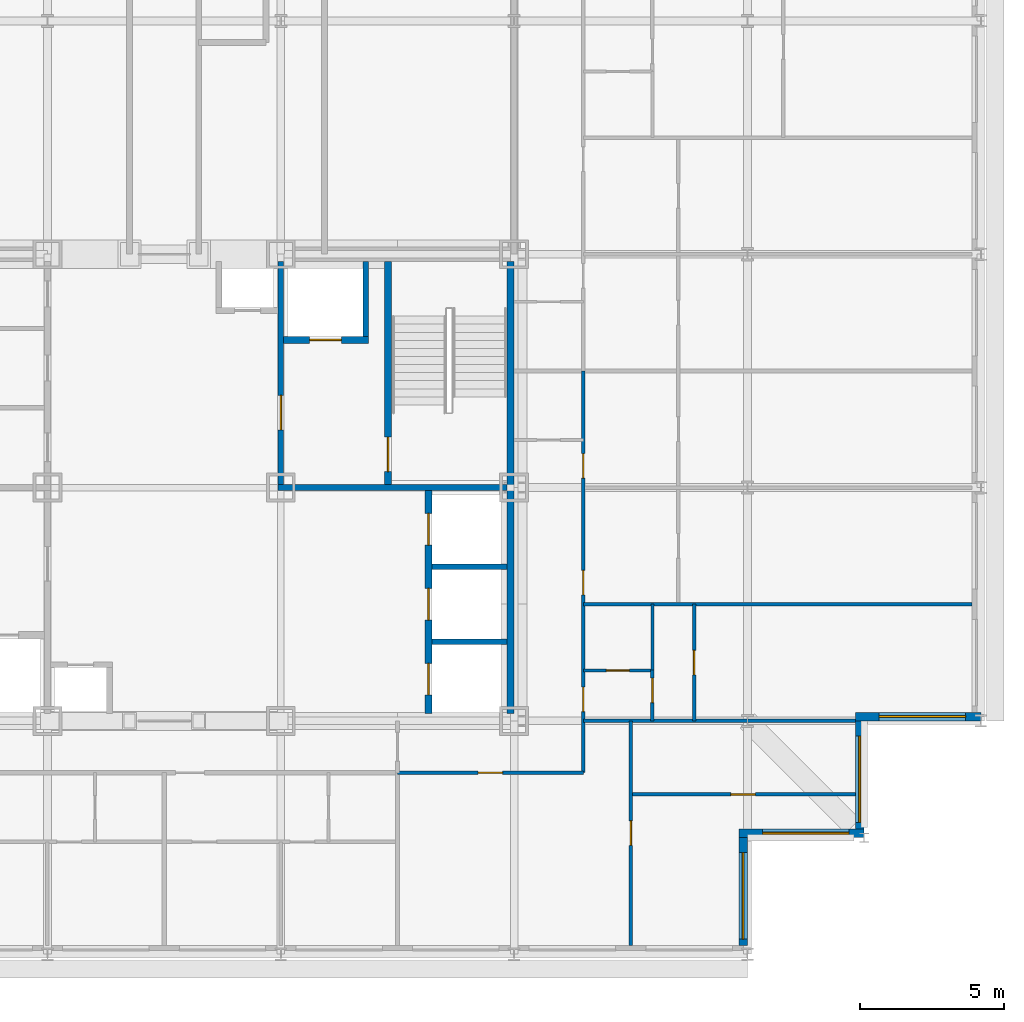
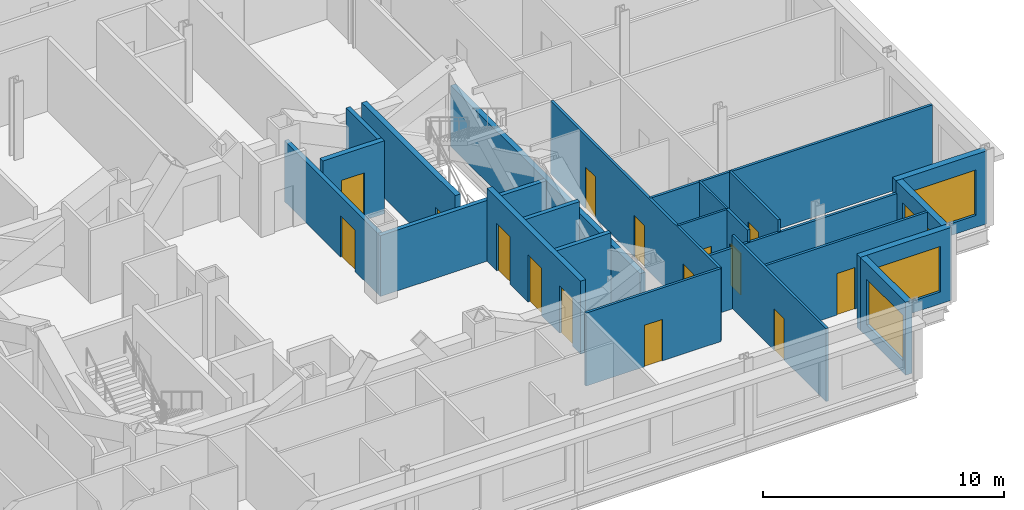
# One storey, part 10 of 15: 23 walls, 15 doors, 4 windows, 19 openings.
"""IFC4 building model written with IfcOpenShell, lengths in metres."""

from ifc_helpers import new_model, si_unit, direction, frame, frame_2d, origin, place, context, subcontext, project, spatial, rectangle, extrude, material, layer, layer_set, type_object, element, fill, save


model = new_model("IFC4")

# Units and contexts
model_context = context("Model", 3, precision=1e-05, world=origin(), true_north=direction((0.0, 1.0)))
body_context = subcontext(model_context, "Body", "Model", "MODEL_VIEW")
ifc_project = project(units=[si_unit("LENGTHUNIT", "METRE"), si_unit("AREAUNIT", "SQUARE_METRE"), si_unit("VOLUMEUNIT", "CUBIC_METRE"), si_unit("PLANEANGLEUNIT", "RADIAN"), si_unit("MASSUNIT", "GRAM", prefix="KILO")], contexts=[model_context])

# Site, building, storey
site_placement = place(None, origin())
site = spatial("IfcSite", under=ifc_project, at=site_placement, CompositionType="ELEMENT")
building_placement = place(site_placement, origin())
building = spatial("IfcBuilding", under=site, at=building_placement, Name="Kopane Lantern Tower", CompositionType="ELEMENT")
storey_placement = place(building_placement, frame((0.0, 0.0, 246.300048828125)))
storey = spatial("IfcBuildingStorey", under=building, at=storey_placement, Name="L63", CompositionType="ELEMENT", Elevation=246.300048828125)

# Wall, openings, doors
ifc_material_1 = material(Name="Gypsum board on steel studs", Category="steel")
ifc_layer_1 = layer(ifc_material_1, 0.1201171875)
ifc_layer_set_1 = layer_set([ifc_layer_1], Name="APARTMENT INTERNAL WALL 120")
wall_type_1 = type_object("IfcWallType", Name="APARTMENT INTERNAL WALL 120", PredefinedType="PARTITIONING", material=ifc_layer_set_1)
wall_1_placement = place(storey_placement, frame((42.89990234375, 22.5, 0.0), z_axis=(0.0, 0.0, 1.0), x_axis=(0.0, 1.0, 0.0)))
wall_1 = element("IfcWall", 1, at=wall_1_placement, inside=storey, type_object=wall_type_1, Name="Apartment Internal Wall 120 L63", PredefinedType="PARTITIONING", context=body_context, shape_type="SweptSolid", body=[
    extrude(rectangle(XDim=13.949951171875, YDim=0.1201171875, at=frame_2d((6.97509765625, 0.0))), origin(), (0.0, 0.0, 1.0), 3.68994140625),
])
opening_1_placement = place(wall_1_placement, frame((2.125, 0.0, 0.0)))
opening_1 = element("IfcOpeningElement", 2, at=opening_1_placement, cuts=wall_1, Name="Opening L63-048", PredefinedType="OPENING", context=body_context, shape_type="SweptSolid", body=[
    extrude(rectangle(XDim=0.85009765625, YDim=2.10009765625, at=frame_2d((0.425048828125, 1.050048828125))), frame((0.0, 0.070068359375, 0.0), z_axis=(0.0, -1.0, 0.0), x_axis=(1.0, 0.0, 0.0)), (0.0, 0.0, 1.0), 0.14013671875),
])
opening_2_placement = place(wall_1_placement, frame((6.175048828125, 0.0, 0.0)))
opening_2 = element("IfcOpeningElement", 3, at=opening_2_placement, cuts=wall_1, Name="Opening L63-049", PredefinedType="OPENING", context=body_context, shape_type="SweptSolid", body=[
    extrude(rectangle(XDim=0.85009765625, YDim=2.10009765625, at=frame_2d((0.425048828125, 1.050048828125))), frame((0.0, 0.070068359375, 0.0), z_axis=(0.0, -1.0, 0.0), x_axis=(1.0, 0.0, 0.0)), (0.0, 0.0, 1.0), 0.14013671875),
])
opening_3_placement = place(wall_1_placement, frame((10.22509765625, 0.0, 0.0)))
opening_3 = element("IfcOpeningElement", 4, at=opening_3_placement, cuts=wall_1, Name="Opening L63-050", PredefinedType="OPENING", context=body_context, shape_type="SweptSolid", body=[
    extrude(rectangle(XDim=0.85009765625, YDim=2.10009765625, at=frame_2d((0.425048828125, 1.050048828125))), frame((0.0, 0.070068359375, 0.0), z_axis=(0.0, -1.0, 0.0), x_axis=(1.0, 0.0, 0.0)), (0.0, 0.0, 1.0), 0.14013671875),
])
ifc_material_2 = material(Name="Timber door set", Category="wood")
door_type_1 = type_object("IfcDoorType", Name="DOOR D4 850x2100", OperationType="SINGLE_SWING_LEFT", PredefinedType="DOOR", material=ifc_material_2)
door_1_placement = place(opening_1_placement, origin())
door_1 = element("IfcDoor", 5, at=door_1_placement, inside=storey, type_object=door_type_1, Name="Door L63-048", OperationType="SINGLE_SWING_RIGHT", OverallHeight=2.10009765625, OverallWidth=0.85009765625, PredefinedType="DOOR", context=body_context, shape_type="SweptSolid", body=[
    extrude(rectangle(XDim=0.85009765625, YDim=2.10009765625, at=frame_2d((0.425048828125, 1.050048828125))), frame((0.0, 0.02490234375, 0.0), z_axis=(0.0, -1.0, 0.0), x_axis=(1.0, 0.0, 0.0)), (0.0, 0.0, 1.0), 0.050048828125),
])
fill(opening_1, door_1)
door_2_placement = place(opening_2_placement, origin())
door_2 = element("IfcDoor", 6, at=door_2_placement, inside=storey, type_object=door_type_1, Name="Door L63-049", OperationType="SINGLE_SWING_RIGHT", OverallHeight=2.10009765625, OverallWidth=0.85009765625, PredefinedType="DOOR", context=body_context, shape_type="SweptSolid", body=[
    extrude(rectangle(XDim=0.85009765625, YDim=2.10009765625, at=frame_2d((0.425048828125, 1.050048828125))), frame((0.0, 0.02490234375, 0.0), z_axis=(0.0, -1.0, 0.0), x_axis=(1.0, 0.0, 0.0)), (0.0, 0.0, 1.0), 0.050048828125),
])
fill(opening_2, door_2)
door_3_placement = place(opening_3_placement, origin())
door_3 = element("IfcDoor", 7, at=door_3_placement, inside=storey, type_object=door_type_1, Name="Door L63-050", OperationType="SINGLE_SWING_RIGHT", OverallHeight=2.10009765625, OverallWidth=0.85009765625, PredefinedType="DOOR", context=body_context, shape_type="SweptSolid", body=[
    extrude(rectangle(XDim=0.85009765625, YDim=2.10009765625, at=frame_2d((0.425048828125, 1.050048828125))), frame((0.0, 0.02490234375, 0.0), z_axis=(0.0, -1.0, 0.0), x_axis=(1.0, 0.0, 0.0)), (0.0, 0.0, 1.0), 0.050048828125),
])
fill(opening_3, door_3)

# Wall, opening, door
wall_2_placement = place(storey_placement, frame((36.449951171875, 22.5, 0.0), z_axis=(0.0, 0.0, 1.0), x_axis=(1.0, 0.0, 0.0)))
wall_2 = element("IfcWall", 8, at=wall_2_placement, inside=storey, type_object=wall_type_1, Name="Apartment Internal Wall 120 L63", PredefinedType="PARTITIONING", context=body_context, shape_type="SweptSolid", body=[
    extrude(rectangle(XDim=6.449951171875, YDim=0.1201171875, at=frame_2d((3.22509765625, 0.0))), origin(), (0.0, 0.0, 1.0), 3.68994140625),
])
opening_4_placement = place(wall_2_placement, frame((2.800048828125, 0.0, 0.0)))
opening_4 = element("IfcOpeningElement", 9, at=opening_4_placement, cuts=wall_2, Name="Opening L63-045", PredefinedType="OPENING", context=body_context, shape_type="SweptSolid", body=[
    extrude(rectangle(XDim=0.85009765625, YDim=2.10009765625, at=frame_2d((0.425048828125, 1.050048828125))), frame((0.0, 0.070068359375, 0.0), z_axis=(0.0, -1.0, 0.0), x_axis=(1.0, 0.0, 0.0)), (0.0, 0.0, 1.0), 0.14013671875),
])
door_4_placement = place(opening_4_placement, origin())
door_4 = element("IfcDoor", 10, at=door_4_placement, inside=storey, type_object=door_type_1, Name="Door L63-045", OperationType="SINGLE_SWING_RIGHT", OverallHeight=2.10009765625, OverallWidth=0.85009765625, PredefinedType="DOOR", context=body_context, shape_type="SweptSolid", body=[
    extrude(rectangle(XDim=0.85009765625, YDim=2.10009765625, at=frame_2d((0.425048828125, 1.050048828125))), frame((0.0, 0.02490234375, 0.0), z_axis=(0.0, -1.0, 0.0), x_axis=(1.0, 0.0, 0.0)), (0.0, 0.0, 1.0), 0.050048828125),
])
fill(opening_4, door_4)

# Wall
wall_3_placement = place(storey_placement, frame((42.89990234375, 24.300048828125, 0.0), z_axis=(0.0, 0.0, 1.0), x_axis=(1.0, 0.0, 0.0)))
element("IfcWall", 11, at=wall_3_placement, inside=storey, type_object=wall_type_1, Name="Apartment Internal Wall 120 L63", PredefinedType="PARTITIONING", context=body_context, shape_type="SweptSolid", body=[
    extrude(rectangle(XDim=9.4501953125, YDim=0.1201171875, at=frame_2d((4.72509765625, 0.0))), origin(), (0.0, 0.0, 1.0), 3.07763671875),
])

# Wall, opening, door
wall_4_placement = place(storey_placement, frame((44.550048828125, 16.5, 0.0), z_axis=(0.0, 0.0, 1.0), x_axis=(0.0, 1.0, 0.0)))
wall_4 = element("IfcWall", 12, at=wall_4_placement, inside=storey, type_object=wall_type_1, Name="Apartment Internal Wall 120 L63", PredefinedType="PARTITIONING", context=body_context, shape_type="SweptSolid", body=[
    extrude(rectangle(XDim=7.800048828125, YDim=0.1201171875, at=frame_2d((3.89990234375, 0.0))), origin(), (0.0, 0.0, 1.0), 3.68994140625),
])
opening_5_placement = place(wall_4_placement, frame((3.47509765625, 0.0, 0.0)))
opening_5 = element("IfcOpeningElement", 13, at=opening_5_placement, cuts=wall_4, Name="Opening L63-046", PredefinedType="OPENING", context=body_context, shape_type="SweptSolid", body=[
    extrude(rectangle(XDim=0.85009765625, YDim=2.10009765625, at=frame_2d((0.425048828125, 1.050048828125))), frame((0.0, 0.070068359375, 0.0), z_axis=(0.0, -1.0, 0.0), x_axis=(1.0, 0.0, 0.0)), (0.0, 0.0, 1.0), 0.14013671875),
])
door_5_placement = place(opening_5_placement, origin())
door_5 = element("IfcDoor", 14, at=door_5_placement, inside=storey, type_object=door_type_1, Name="Door L63-046", OperationType="SINGLE_SWING_LEFT", OverallHeight=2.10009765625, OverallWidth=0.85009765625, PredefinedType="DOOR", context=body_context, shape_type="SweptSolid", body=[
    extrude(rectangle(XDim=0.85009765625, YDim=2.10009765625, at=frame_2d((0.425048828125, 1.050048828125))), frame((0.0, 0.02490234375, 0.0), z_axis=(0.0, -1.0, 0.0), x_axis=(1.0, 0.0, 0.0)), (0.0, 0.0, 1.0), 0.050048828125),
])
fill(opening_5, door_5)

# Wall
wall_5_placement = place(storey_placement, frame((42.89990234375, 28.35009765625, 0.0), z_axis=(0.0, 0.0, 1.0), x_axis=(1.0, 0.0, 0.0)))
element("IfcWall", 15, at=wall_5_placement, inside=storey, type_object=wall_type_1, Name="Apartment Internal Wall 120 L63", PredefinedType="PARTITIONING", context=body_context, shape_type="SweptSolid", body=[
    extrude(rectangle(XDim=13.5, YDim=0.1201171875, at=frame_2d((6.75, 0.0))), origin(), (0.0, 0.0, 1.0), 3.68994140625),
])

# Wall, opening, door
wall_6_placement = place(storey_placement, frame((45.300048828125, 24.300048828125, 0.0), z_axis=(0.0, 0.0, 1.0), x_axis=(0.0, 1.0, 0.0)))
wall_6 = element("IfcWall", 16, at=wall_6_placement, inside=storey, type_object=wall_type_1, Name="Apartment Internal Wall 120 L63", PredefinedType="PARTITIONING", context=body_context, shape_type="SweptSolid", body=[
    extrude(rectangle(XDim=1.760009765625, YDim=0.1201171875, at=frame_2d((0.8798828125, 0.0))), origin(), (0.0, 0.0, 1.0), 3.68994140625),
])
opening_6_placement = place(wall_6_placement, frame((0.635009765625, 0.0, 0.0)))
opening_6 = element("IfcOpeningElement", 17, at=opening_6_placement, cuts=wall_6, Name="Opening L63-063", PredefinedType="OPENING", context=body_context, shape_type="SweptSolid", body=[
    extrude(rectangle(XDim=0.85009765625, YDim=2.10009765625, at=frame_2d((0.425048828125, 1.050048828125))), frame((0.0, 0.070068359375, 0.0), z_axis=(0.0, -1.0, 0.0), x_axis=(1.0, 0.0, 0.0)), (0.0, 0.0, 1.0), 0.14013671875),
])
door_6_placement = place(opening_6_placement, origin())
door_6 = element("IfcDoor", 18, at=door_6_placement, inside=storey, type_object=door_type_1, Name="Door L63-063", OperationType="SINGLE_SWING_RIGHT", OverallHeight=2.10009765625, OverallWidth=0.85009765625, PredefinedType="DOOR", context=body_context, shape_type="SweptSolid", body=[
    extrude(rectangle(XDim=0.85009765625, YDim=2.10009765625, at=frame_2d((0.425048828125, 1.050048828125))), frame((0.0, 0.02490234375, 0.0), z_axis=(0.0, -1.0, 0.0), x_axis=(1.0, 0.0, 0.0)), (0.0, 0.0, 1.0), 0.050048828125),
])
fill(opening_6, door_6)

wall_7_placement = place(storey_placement, frame((44.550048828125, 21.75, 0.0), z_axis=(0.0, 0.0, 1.0), x_axis=(1.0, 0.0, 0.0)))
wall_7 = element("IfcWall", 19, at=wall_7_placement, inside=storey, type_object=wall_type_1, Name="Apartment Internal Wall 120 L63", PredefinedType="PARTITIONING", context=body_context, shape_type="SweptSolid", body=[
    extrude(rectangle(XDim=7.800048828125, YDim=0.1201171875, at=frame_2d((3.89990234375, 0.0))), origin(), (0.0, 0.0, 1.0), 3.68994140625),
])
opening_7_placement = place(wall_7_placement, frame((3.47509765625, 0.0, 0.0)))
opening_7 = element("IfcOpeningElement", 20, at=opening_7_placement, cuts=wall_7, Name="Opening L63-066", PredefinedType="OPENING", context=body_context, shape_type="SweptSolid", body=[
    extrude(rectangle(XDim=0.85009765625, YDim=2.10009765625, at=frame_2d((0.425048828125, 1.050048828125))), frame((0.0, 0.070068359375, 0.0), z_axis=(0.0, -1.0, 0.0), x_axis=(1.0, 0.0, 0.0)), (0.0, 0.0, 1.0), 0.14013671875),
])
door_7_placement = place(opening_7_placement, origin())
door_7 = element("IfcDoor", 21, at=door_7_placement, inside=storey, type_object=door_type_1, Name="Door L63-066", OperationType="SINGLE_SWING_LEFT", OverallHeight=2.10009765625, OverallWidth=0.85009765625, PredefinedType="DOOR", context=body_context, shape_type="SweptSolid", body=[
    extrude(rectangle(XDim=0.85009765625, YDim=2.10009765625, at=frame_2d((0.425048828125, 1.050048828125))), frame((0.0, 0.02490234375, 0.0), z_axis=(0.0, -1.0, 0.0), x_axis=(1.0, 0.0, 0.0)), (0.0, 0.0, 1.0), 0.050048828125),
])
fill(opening_7, door_7)

wall_8_placement = place(storey_placement, frame((46.75, 24.300048828125, 0.0), z_axis=(0.0, 0.0, 1.0), x_axis=(0.0, 1.0, 0.0)))
wall_8 = element("IfcWall", 22, at=wall_8_placement, inside=storey, type_object=wall_type_1, Name="Apartment Internal Wall 120 L63", PredefinedType="PARTITIONING", context=body_context, shape_type="SweptSolid", body=[
    extrude(rectangle(XDim=4.050048828125, YDim=0.1201171875, at=frame_2d((2.02490234375, 0.0))), origin(), (0.0, 0.0, 1.0), 3.68994140625),
])
opening_8_placement = place(wall_8_placement, frame((1.60009765625, 0.0, 0.0)))
opening_8 = element("IfcOpeningElement", 23, at=opening_8_placement, cuts=wall_8, Name="Opening L63-067", PredefinedType="OPENING", context=body_context, shape_type="SweptSolid", body=[
    extrude(rectangle(XDim=0.85009765625, YDim=2.10009765625, at=frame_2d((0.425048828125, 1.050048828125))), frame((0.0, 0.070068359375, 0.0), z_axis=(0.0, -1.0, 0.0), x_axis=(1.0, 0.0, 0.0)), (0.0, 0.0, 1.0), 0.14013671875),
])
door_8_placement = place(opening_8_placement, origin())
door_8 = element("IfcDoor", 24, at=door_8_placement, inside=storey, type_object=door_type_1, Name="Door L63-067", OperationType="SINGLE_SWING_LEFT", OverallHeight=2.10009765625, OverallWidth=0.85009765625, PredefinedType="DOOR", context=body_context, shape_type="SweptSolid", body=[
    extrude(rectangle(XDim=0.85009765625, YDim=2.10009765625, at=frame_2d((0.425048828125, 1.050048828125))), frame((0.0, 0.02490234375, 0.0), z_axis=(0.0, -1.0, 0.0), x_axis=(1.0, 0.0, 0.0)), (0.0, 0.0, 1.0), 0.050048828125),
])
fill(opening_8, door_8)

ifc_material_3 = material(Name="Moisture-resistant board on steel studs", Category="steel")
ifc_layer_2 = layer(ifc_material_3, 0.10009765625)
ifc_layer_set_2 = layer_set([ifc_layer_2], Name="BATHROOM WALL 100")
wall_type_2 = type_object("IfcWallType", Name="BATHROOM WALL 100", PredefinedType="PARTITIONING", material=ifc_layer_set_2)
wall_9_placement = place(storey_placement, frame((42.89990234375, 26.050048828125, 0.0), z_axis=(0.0, 0.0, 1.0), x_axis=(1.0, 0.0, 0.0)))
wall_9 = element("IfcWall", 25, at=wall_9_placement, inside=storey, type_object=wall_type_2, Name="Bathroom Wall 100 L63", PredefinedType="PARTITIONING", context=body_context, shape_type="SweptSolid", body=[
    extrude(rectangle(XDim=2.400146484375, YDim=0.10009765625, at=frame_2d((1.2001953125, 0.0))), origin(), (0.0, 0.0, 1.0), 3.68994140625),
])
opening_9_placement = place(wall_9_placement, frame((0.800048828125, 0.0, 0.0)))
opening_9 = element("IfcOpeningElement", 26, at=opening_9_placement, cuts=wall_9, Name="Opening L63-047", PredefinedType="OPENING", context=body_context, shape_type="SweptSolid", body=[
    extrude(rectangle(XDim=0.800048828125, YDim=2.10009765625, at=frame_2d((0.39990234375, 1.050048828125))), frame((0.0, 0.06005859375, 0.0), z_axis=(0.0, -1.0, 0.0), x_axis=(1.0, 0.0, 0.0)), (0.0, 0.0, 1.0), 0.1201171875),
])
ifc_material_4 = material(Name="Timber door set", Category="wood")
door_type_2 = type_object("IfcDoorType", Name="DOOR D2 800x2100", OperationType="SINGLE_SWING_LEFT", PredefinedType="DOOR", material=ifc_material_4)
door_9_placement = place(opening_9_placement, origin())
door_9 = element("IfcDoor", 27, at=door_9_placement, inside=storey, type_object=door_type_2, Name="Door L63-047", OperationType="SINGLE_SWING_LEFT", OverallHeight=2.10009765625, OverallWidth=0.800048828125, PredefinedType="DOOR", context=body_context, shape_type="SweptSolid", body=[
    extrude(rectangle(XDim=0.800048828125, YDim=2.10009765625, at=frame_2d((0.39990234375, 1.050048828125))), frame((0.0, 0.02490234375, 0.0), z_axis=(0.0, -1.0, 0.0), x_axis=(1.0, 0.0, 0.0)), (0.0, 0.0, 1.0), 0.050048828125),
])
fill(opening_9, door_9)

# Walls
wall_10_placement = place(storey_placement, frame((45.300048828125, 26.050048828125, 0.0), z_axis=(0.0, 0.0, 1.0), x_axis=(0.0, 1.0, 0.0)))
element("IfcWall", 28, at=wall_10_placement, inside=storey, type_object=wall_type_2, Name="Bathroom Wall 100 L63", PredefinedType="PARTITIONING", context=body_context, shape_type="SweptSolid", body=[
    extrude(rectangle(XDim=2.300048828125, YDim=0.10009765625, at=frame_2d((1.14990234375, 0.0))), origin(), (0.0, 0.0, 1.0), 3.68994140625),
])
ifc_material_5 = material(Name="Gypsum shaft wall EI 120", Category="gypsum")
ifc_layer_3 = layer(ifc_material_5, 0.25)
ifc_layer_set_3 = layer_set([ifc_layer_3], Name="CORE SHAFT WALL 250 EI 120")
wall_type_3 = type_object("IfcWallType", Name="CORE SHAFT WALL 250 EI 120", PredefinedType="SOLIDWALL", material=ifc_layer_set_3)
wall_11_placement = place(storey_placement, frame((40.375, 24.550048828125, 0.0), z_axis=(0.0, 0.0, 1.0), x_axis=(0.0, 1.0, 0.0)))
element("IfcWall", 29, at=wall_11_placement, inside=storey, type_object=wall_type_3, Name="Core shaft wall L63 PE", PredefinedType="SOLIDWALL", context=body_context, shape_type="SweptSolid", body=[
    extrude(rectangle(XDim=15.699951171875, YDim=0.25, at=frame_2d((7.85009765625, 0.0))), origin(), (0.0, 0.0, 1.0), 3.07763671875),
])

# Wall, openings, doors
wall_12_placement = place(storey_placement, frame((37.52490234375, 24.550048828125, 0.0), z_axis=(0.0, 0.0, 1.0), x_axis=(0.0, 1.0, 0.0)))
wall_12 = element("IfcWall", 30, at=wall_12_placement, inside=storey, type_object=wall_type_3, Name="Core shaft wall L63 XLR", PredefinedType="SOLIDWALL", context=body_context, shape_type="SweptSolid", body=[
    extrude(rectangle(XDim=7.75, YDim=0.25, at=frame_2d((3.875, 0.0))), origin(), (0.0, 0.0, 1.0), 3.68994140625),
])
opening_10_placement = place(wall_12_placement, frame((0.64990234375, 0.0, 0.0)))
opening_10 = element("IfcOpeningElement", 31, at=opening_10_placement, cuts=wall_12, Name="Opening 63.LD-LR1", PredefinedType="OPENING", context=body_context, shape_type="SweptSolid", body=[
    extrude(rectangle(XDim=1.10009765625, YDim=2.39990234375, at=frame_2d((0.550048828125, 1.199951171875))), frame((0.0, 0.135009765625, 0.0), z_axis=(0.0, -1.0, 0.0), x_axis=(1.0, 0.0, 0.0)), (0.0, 0.0, 1.0), 0.27001953125),
])
opening_11_placement = place(wall_12_placement, frame((3.25, 0.0, 0.0)))
opening_11 = element("IfcOpeningElement", 32, at=opening_11_placement, cuts=wall_12, Name="Opening 63.LD-LR2", PredefinedType="OPENING", context=body_context, shape_type="SweptSolid", body=[
    extrude(rectangle(XDim=1.10009765625, YDim=2.39990234375, at=frame_2d((0.550048828125, 1.199951171875))), frame((0.0, 0.135009765625, 0.0), z_axis=(0.0, -1.0, 0.0), x_axis=(1.0, 0.0, 0.0)), (0.0, 0.0, 1.0), 0.27001953125),
])
opening_12_placement = place(wall_12_placement, frame((5.85009765625, 0.0, 0.0)))
opening_12 = element("IfcOpeningElement", 33, at=opening_12_placement, cuts=wall_12, Name="Opening 63.LD-LR3", PredefinedType="OPENING", context=body_context, shape_type="SweptSolid", body=[
    extrude(rectangle(XDim=1.10009765625, YDim=2.39990234375, at=frame_2d((0.550048828125, 1.199951171875))), frame((0.0, 0.135009765625, 0.0), z_axis=(0.0, -1.0, 0.0), x_axis=(1.0, 0.0, 0.0)), (0.0, 0.0, 1.0), 0.27001953125),
])
ifc_material_6 = material(Name="Steel door set", Category="steel")
door_type_3 = type_object("IfcDoorType", Name="LIFT LANDING DOOR 1100x2400 FD60", OperationType="DOUBLE_DOOR_SLIDING", PredefinedType="DOOR", material=ifc_material_6)
door_10_placement = place(opening_10_placement, origin())
door_10 = element("IfcDoor", 34, at=door_10_placement, inside=storey, type_object=door_type_3, Name="Landing door LR1 L63", OperationType="DOUBLE_DOOR_SLIDING", OverallHeight=2.39990234375, OverallWidth=1.10009765625, PredefinedType="DOOR", context=body_context, shape_type="SweptSolid", body=[
    extrude(rectangle(XDim=1.10009765625, YDim=2.39990234375, at=frame_2d((0.550048828125, 1.199951171875))), frame((0.0, 0.02490234375, 0.0), z_axis=(0.0, -1.0, 0.0), x_axis=(1.0, 0.0, 0.0)), (0.0, 0.0, 1.0), 0.050048828125),
])
fill(opening_10, door_10)
door_11_placement = place(opening_11_placement, origin())
door_11 = element("IfcDoor", 35, at=door_11_placement, inside=storey, type_object=door_type_3, Name="Landing door LR2 L63", OperationType="DOUBLE_DOOR_SLIDING", OverallHeight=2.39990234375, OverallWidth=1.10009765625, PredefinedType="DOOR", context=body_context, shape_type="SweptSolid", body=[
    extrude(rectangle(XDim=1.10009765625, YDim=2.39990234375, at=frame_2d((0.550048828125, 1.199951171875))), frame((0.0, 0.02490234375, 0.0), z_axis=(0.0, -1.0, 0.0), x_axis=(1.0, 0.0, 0.0)), (0.0, 0.0, 1.0), 0.050048828125),
])
fill(opening_11, door_11)
door_12_placement = place(opening_12_placement, origin())
door_12 = element("IfcDoor", 36, at=door_12_placement, inside=storey, type_object=door_type_3, Name="Landing door LR3 L63", OperationType="DOUBLE_DOOR_SLIDING", OverallHeight=2.39990234375, OverallWidth=1.10009765625, PredefinedType="DOOR", context=body_context, shape_type="SweptSolid", body=[
    extrude(rectangle(XDim=1.10009765625, YDim=2.39990234375, at=frame_2d((0.550048828125, 1.199951171875))), frame((0.0, 0.02490234375, 0.0), z_axis=(0.0, -1.0, 0.0), x_axis=(1.0, 0.0, 0.0)), (0.0, 0.0, 1.0), 0.050048828125),
])
fill(opening_12, door_12)

# Wall, opening, door
wall_13_placement = place(storey_placement, frame((36.125, 32.5, 0.0), z_axis=(0.0, 0.0, 1.0), x_axis=(0.0, 1.0, 0.0)))
wall_13 = element("IfcWall", 37, at=wall_13_placement, inside=storey, type_object=wall_type_3, Name="Core shaft wall L63 XST2", PredefinedType="SOLIDWALL", context=body_context, shape_type="SweptSolid", body=[
    extrude(rectangle(XDim=7.75, YDim=0.25, at=frame_2d((3.875, 0.0))), origin(), (0.0, 0.0, 1.0), 3.68994140625),
])
opening_13_placement = place(wall_13_placement, frame((0.449951171875, 0.0, 0.0)))
opening_13 = element("IfcOpeningElement", 38, at=opening_13_placement, cuts=wall_13, Name="Opening 63.SD2", PredefinedType="OPENING", context=body_context, shape_type="SweptSolid", body=[
    extrude(rectangle(XDim=1.199951171875, YDim=2.10009765625, at=frame_2d((0.60009765625, 1.050048828125))), frame((0.0, 0.135009765625, 0.0), z_axis=(0.0, -1.0, 0.0), x_axis=(1.0, 0.0, 0.0)), (0.0, 0.0, 1.0), 0.27001953125),
])
ifc_material_7 = material(Name="Steel door set", Category="steel")
door_type_4 = type_object("IfcDoorType", Name="STAIR DOOR 1200x2100 FD60S", OperationType="SINGLE_SWING_LEFT", PredefinedType="DOOR", material=ifc_material_7)
door_13_placement = place(opening_13_placement, origin())
door_13 = element("IfcDoor", 39, at=door_13_placement, inside=storey, type_object=door_type_4, Name="Stair door ST2 L63", OperationType="SINGLE_SWING_RIGHT", OverallHeight=2.10009765625, OverallWidth=1.199951171875, PredefinedType="DOOR", context=body_context, shape_type="SweptSolid", body=[
    extrude(rectangle(XDim=1.199951171875, YDim=2.10009765625, at=frame_2d((0.60009765625, 1.050048828125))), frame((0.0, 0.02490234375, 0.0), z_axis=(0.0, -1.0, 0.0), x_axis=(1.0, 0.0, 0.0)), (0.0, 0.0, 1.0), 0.050048828125),
])
fill(opening_13, door_13)

wall_14_placement = place(storey_placement, frame((32.5, 37.52490234375, 0.0), z_axis=(0.0, 0.0, 1.0), x_axis=(1.0, 0.0, 0.0)))
wall_14 = element("IfcWall", 40, at=wall_14_placement, inside=storey, type_object=wall_type_3, Name="Core shaft wall L63 YLF2", PredefinedType="SOLIDWALL", context=body_context, shape_type="SweptSolid", body=[
    extrude(rectangle(XDim=2.949951171875, YDim=0.25, at=frame_2d((1.47509765625, 0.0))), origin(), (0.0, 0.0, 1.0), 3.68994140625),
])
opening_14_placement = place(wall_14_placement, frame((0.89990234375, 0.0, 0.0)))
opening_14 = element("IfcOpeningElement", 41, at=opening_14_placement, cuts=wall_14, Name="Opening 63.LD-LF2", PredefinedType="OPENING", context=body_context, shape_type="SweptSolid", body=[
    extrude(rectangle(XDim=1.10009765625, YDim=2.39990234375, at=frame_2d((0.550048828125, 1.199951171875))), frame((0.0, 0.135009765625, 0.0), z_axis=(0.0, -1.0, 0.0), x_axis=(1.0, 0.0, 0.0)), (0.0, 0.0, 1.0), 0.27001953125),
])
door_14_placement = place(opening_14_placement, origin())
door_14 = element("IfcDoor", 42, at=door_14_placement, inside=storey, type_object=door_type_3, Name="Landing door LF2 L63", OperationType="DOUBLE_DOOR_SLIDING", OverallHeight=2.39990234375, OverallWidth=1.10009765625, PredefinedType="DOOR", context=body_context, shape_type="SweptSolid", body=[
    extrude(rectangle(XDim=1.10009765625, YDim=2.39990234375, at=frame_2d((0.550048828125, 1.199951171875))), frame((0.0, 0.02490234375, 0.0), z_axis=(0.0, -1.0, 0.0), x_axis=(1.0, 0.0, 0.0)), (0.0, 0.0, 1.0), 0.050048828125),
])
fill(opening_14, door_14)

# Wall, opening, window
ifc_material_8 = material(Name="Terracotta rainscreen on light steel framing", Category="masonry")
ifc_layer_4 = layer(ifc_material_8, 0.300048828125)
ifc_layer_set_4 = layer_set([ifc_layer_4], Name="EXTERNAL WALL EW1 300 TERRACOTTA")
wall_type_4 = type_object("IfcWallType", Name="EXTERNAL WALL EW1 300 TERRACOTTA", PredefinedType="SOLIDWALL", material=ifc_layer_set_4)
wall_15_placement = place(storey_placement, frame((48.449951171875, 16.5, 0.0), z_axis=(0.0, 0.0, 1.0), x_axis=(0.0, 1.0, 0.0)))
wall_15 = element("IfcWall", 43, at=wall_15_placement, inside=storey, type_object=wall_type_4, Name="External wall E L63", PredefinedType="SOLIDWALL", context=body_context, shape_type="SweptSolid", body=[
    extrude(rectangle(XDim=3.75, YDim=0.300048828125, at=frame_2d((1.875, 0.0))), origin(), (0.0, 0.0, 1.0), 3.68994140625),
])
opening_15_placement = place(wall_15_placement, frame((0.22509765625, 0.0, 0.60009765625)))
opening_15 = element("IfcOpeningElement", 44, at=opening_15_placement, cuts=wall_15, Name="Opening WR300230", PredefinedType="OPENING", context=body_context, shape_type="SweptSolid", body=[
    extrude(rectangle(XDim=3.0, YDim=2.300048828125, at=frame_2d((1.5, 1.14990234375))), frame((0.0, 0.159912109375, 0.0), z_axis=(0.0, -1.0, 0.0), x_axis=(1.0, 0.0, 0.0)), (0.0, 0.0, 1.0), 0.320068359375),
])
ifc_material_9 = material(Name="Aluminium and clear glass", Category="aluminium")
window_type = type_object("IfcWindowType", Name="RIBBON WINDOW WR300230 3000x2300", PartitioningType="SINGLE_PANEL", PredefinedType="WINDOW", material=ifc_material_9)
window_1_placement = place(opening_15_placement, origin())
window_1 = element("IfcWindow", 45, at=window_1_placement, inside=storey, type_object=window_type, Name="Window E L63", OverallHeight=2.300048828125, OverallWidth=3.0, PartitioningType="SINGLE_PANEL", PredefinedType="WINDOW", context=body_context, shape_type="SweptSolid", body=[
    extrude(rectangle(XDim=3.0, YDim=2.300048828125, at=frame_2d((1.5, 1.14990234375))), frame((0.0, 0.030029296875, 0.0), z_axis=(0.0, -1.0, 0.0), x_axis=(1.0, 0.0, 0.0)), (0.0, 0.0, 1.0), 0.06005859375),
])
fill(opening_15, window_1)

wall_16_placement = place(storey_placement, frame((48.300048828125, 20.39990234375, 0.0), z_axis=(0.0, 0.0, 1.0), x_axis=(1.0, 0.0, 0.0)))
wall_16 = element("IfcWall", 46, at=wall_16_placement, inside=storey, type_object=wall_type_4, Name="External wall S L63", PredefinedType="SOLIDWALL", context=body_context, shape_type="SweptSolid", body=[
    extrude(rectangle(XDim=4.349853515625, YDim=0.300048828125, at=frame_2d((2.1748046875, 0.0))), origin(), (0.0, 0.0, 1.0), 3.68994140625),
])
opening_16_placement = place(wall_16_placement, frame((0.824951171875, 0.0, 0.60009765625)))
opening_16 = element("IfcOpeningElement", 47, at=opening_16_placement, cuts=wall_16, Name="Opening WR300230", PredefinedType="OPENING", context=body_context, shape_type="SweptSolid", body=[
    extrude(rectangle(XDim=3.0, YDim=2.300048828125, at=frame_2d((1.5, 1.14990234375))), frame((0.0, 0.159912109375, 0.0), z_axis=(0.0, -1.0, 0.0), x_axis=(1.0, 0.0, 0.0)), (0.0, 0.0, 1.0), 0.320068359375),
])
window_2_placement = place(opening_16_placement, origin())
window_2 = element("IfcWindow", 48, at=window_2_placement, inside=storey, type_object=window_type, Name="Window S L63", OverallHeight=2.300048828125, OverallWidth=3.0, PartitioningType="SINGLE_PANEL", PredefinedType="WINDOW", context=body_context, shape_type="SweptSolid", body=[
    extrude(rectangle(XDim=3.0, YDim=2.300048828125, at=frame_2d((1.5, 1.14990234375))), frame((0.0, 0.030029296875, 0.0), z_axis=(0.0, -1.0, 0.0), x_axis=(1.0, 0.0, 0.0)), (0.0, 0.0, 1.0), 0.06005859375),
])
fill(opening_16, window_2)

wall_17_placement = place(storey_placement, frame((52.5, 20.550048828125, 0.0), z_axis=(0.0, 0.0, 1.0), x_axis=(0.0, 1.0, 0.0)))
wall_17 = element("IfcWall", 49, at=wall_17_placement, inside=storey, type_object=wall_type_4, Name="External wall E L63", PredefinedType="SOLIDWALL", context=body_context, shape_type="SweptSolid", body=[
    extrude(rectangle(XDim=3.75, YDim=0.300048828125, at=frame_2d((1.875, 0.0))), origin(), (0.0, 0.0, 1.0), 3.68994140625),
])
opening_17_placement = place(wall_17_placement, frame((0.22509765625, 0.0, 0.60009765625)))
opening_17 = element("IfcOpeningElement", 50, at=opening_17_placement, cuts=wall_17, Name="Opening WR300230", PredefinedType="OPENING", context=body_context, shape_type="SweptSolid", body=[
    extrude(rectangle(XDim=3.0, YDim=2.300048828125, at=frame_2d((1.5, 1.14990234375))), frame((0.0, 0.159912109375, 0.0), z_axis=(0.0, -1.0, 0.0), x_axis=(1.0, 0.0, 0.0)), (0.0, 0.0, 1.0), 0.320068359375),
])
window_3_placement = place(opening_17_placement, origin())
window_3 = element("IfcWindow", 51, at=window_3_placement, inside=storey, type_object=window_type, Name="Window E L63", OverallHeight=2.300048828125, OverallWidth=3.0, PartitioningType="SINGLE_PANEL", PredefinedType="WINDOW", context=body_context, shape_type="SweptSolid", body=[
    extrude(rectangle(XDim=3.0, YDim=2.300048828125, at=frame_2d((1.5, 1.14990234375))), frame((0.0, 0.030029296875, 0.0), z_axis=(0.0, -1.0, 0.0), x_axis=(1.0, 0.0, 0.0)), (0.0, 0.0, 1.0), 0.06005859375),
])
fill(opening_17, window_3)

wall_18_placement = place(storey_placement, frame((52.35009765625, 24.449951171875, 0.0), z_axis=(0.0, 0.0, 1.0), x_axis=(1.0, 0.0, 0.0)))
wall_18 = element("IfcWall", 52, at=wall_18_placement, inside=storey, type_object=wall_type_4, Name="External wall S L63", PredefinedType="SOLIDWALL", context=body_context, shape_type="SweptSolid", body=[
    extrude(rectangle(XDim=4.349853515625, YDim=0.300048828125, at=frame_2d((2.1748046875, 0.0))), origin(), (0.0, 0.0, 1.0), 3.68994140625),
])
opening_18_placement = place(wall_18_placement, frame((0.824951171875, 0.0, 0.60009765625)))
opening_18 = element("IfcOpeningElement", 53, at=opening_18_placement, cuts=wall_18, Name="Opening WR300230", PredefinedType="OPENING", context=body_context, shape_type="SweptSolid", body=[
    extrude(rectangle(XDim=3.0, YDim=2.300048828125, at=frame_2d((1.5, 1.14990234375))), frame((0.0, 0.159912109375, 0.0), z_axis=(0.0, -1.0, 0.0), x_axis=(1.0, 0.0, 0.0)), (0.0, 0.0, 1.0), 0.320068359375),
])
window_4_placement = place(opening_18_placement, origin())
window_4 = element("IfcWindow", 54, at=window_4_placement, inside=storey, type_object=window_type, Name="Window S L63", OverallHeight=2.300048828125, OverallWidth=3.0, PartitioningType="SINGLE_PANEL", PredefinedType="WINDOW", context=body_context, shape_type="SweptSolid", body=[
    extrude(rectangle(XDim=3.0, YDim=2.300048828125, at=frame_2d((1.5, 1.14990234375))), frame((0.0, 0.030029296875, 0.0), z_axis=(0.0, -1.0, 0.0), x_axis=(1.0, 0.0, 0.0)), (0.0, 0.0, 1.0), 0.06005859375),
])
fill(opening_18, window_4)

# Wall
ifc_material_10 = material(Name="Gypsum shaft wall EI 120", Category="gypsum")
ifc_layer_5 = layer(ifc_material_10, 0.199951171875)
ifc_layer_set_5 = layer_set([ifc_layer_5], Name="SHAFT WALL 200 EI 120")
wall_type_5 = type_object("IfcWallType", Name="SHAFT WALL 200 EI 120", PredefinedType="SOLIDWALL", material=ifc_layer_set_5)
wall_19_placement = place(storey_placement, frame((32.300048828125, 32.39990234375, 0.0), z_axis=(0.0, 0.0, 1.0), x_axis=(1.0, 0.0, 0.0)))
element("IfcWall", 55, at=wall_19_placement, inside=storey, type_object=wall_type_5, Name="Core shaft wall L63 Y324E", PredefinedType="SOLIDWALL", context=body_context, shape_type="SweptSolid", body=[
    extrude(rectangle(XDim=7.949951171875, YDim=0.199951171875, at=frame_2d((3.97509765625, 0.0))), origin(), (0.0, 0.0, 1.0), 3.07763671875),
])

# Wall, opening, door
wall_20_placement = place(storey_placement, frame((32.39990234375, 32.5, 0.0), z_axis=(0.0, 0.0, 1.0), x_axis=(0.0, 1.0, 0.0)))
wall_20 = element("IfcWall", 56, at=wall_20_placement, inside=storey, type_object=wall_type_5, Name="Core shaft wall L63 X324", PredefinedType="SOLIDWALL", context=body_context, shape_type="SweptSolid", body=[
    extrude(rectangle(XDim=7.75, YDim=0.199951171875, at=frame_2d((3.875, 0.0))), origin(), (0.0, 0.0, 1.0), 3.07763671875),
])
opening_19_placement = place(wall_20_placement, frame((1.89990234375, 0.0, 0.0)))
opening_19 = element("IfcOpeningElement", 57, at=opening_19_placement, cuts=wall_20, Name="Opening 63.FL2", PredefinedType="OPENING", context=body_context, shape_type="SweptSolid", body=[
    extrude(rectangle(XDim=1.199951171875, YDim=2.10009765625, at=frame_2d((0.60009765625, 1.050048828125))), frame((0.0, 0.10986328125, 0.0), z_axis=(0.0, -1.0, 0.0), x_axis=(1.0, 0.0, 0.0)), (0.0, 0.0, 1.0), 0.219970703125),
])
ifc_material_11 = material(Name="Steel door set", Category="steel")
door_type_5 = type_object("IfcDoorType", Name="FIREFIGHTING LOBBY DOOR 1200x2100 FD60S", OperationType="SINGLE_SWING_RIGHT", PredefinedType="DOOR", material=ifc_material_11)
door_15_placement = place(opening_19_placement, origin())
door_15 = element("IfcDoor", 58, at=door_15_placement, inside=storey, type_object=door_type_5, Name="Firefighting lobby door FL2 L63", OperationType="SINGLE_SWING_LEFT", OverallHeight=2.10009765625, OverallWidth=1.199951171875, PredefinedType="DOOR", context=body_context, shape_type="SweptSolid", body=[
    extrude(rectangle(XDim=1.199951171875, YDim=2.10009765625, at=frame_2d((0.60009765625, 1.050048828125))), frame((0.0, 0.02490234375, 0.0), z_axis=(0.0, -1.0, 0.0), x_axis=(1.0, 0.0, 0.0)), (0.0, 0.0, 1.0), 0.050048828125),
])
fill(opening_19, door_15)

# Walls
for number, where, z_axis, x_axis, name in (
    (59, (37.64990234375, 27.050048828125, 0.0), (0.0, 0.0, 1.0), (1.0, 0.0, 0.0), "Core shaft wall L63 YLR12"),
    (60, (37.64990234375, 29.64990234375, 0.0), (0.0, 0.0, 1.0), (1.0, 0.0, 0.0), "Core shaft wall L63 YLR23"),
    (61, (35.35009765625, 37.64990234375, 0.0), (0.0, 0.0, 1.0), (0.0, 1.0, 0.0), "Core shaft wall L63 XLF2"),
):
    element("IfcWall", number, at=place(storey_placement, frame(where, z_axis=z_axis, x_axis=x_axis)), inside=storey, type_object=wall_type_5, Name=name, PredefinedType="SOLIDWALL", context=body_context, shape_type="SweptSolid", body=[
        extrude(rectangle(XDim=2.60009765625, YDim=0.199951171875, at=frame_2d((1.300048828125, 0.0))), origin(), (0.0, 0.0, 1.0), 3.68994140625),
    ])

save(model, "model.ifc")
